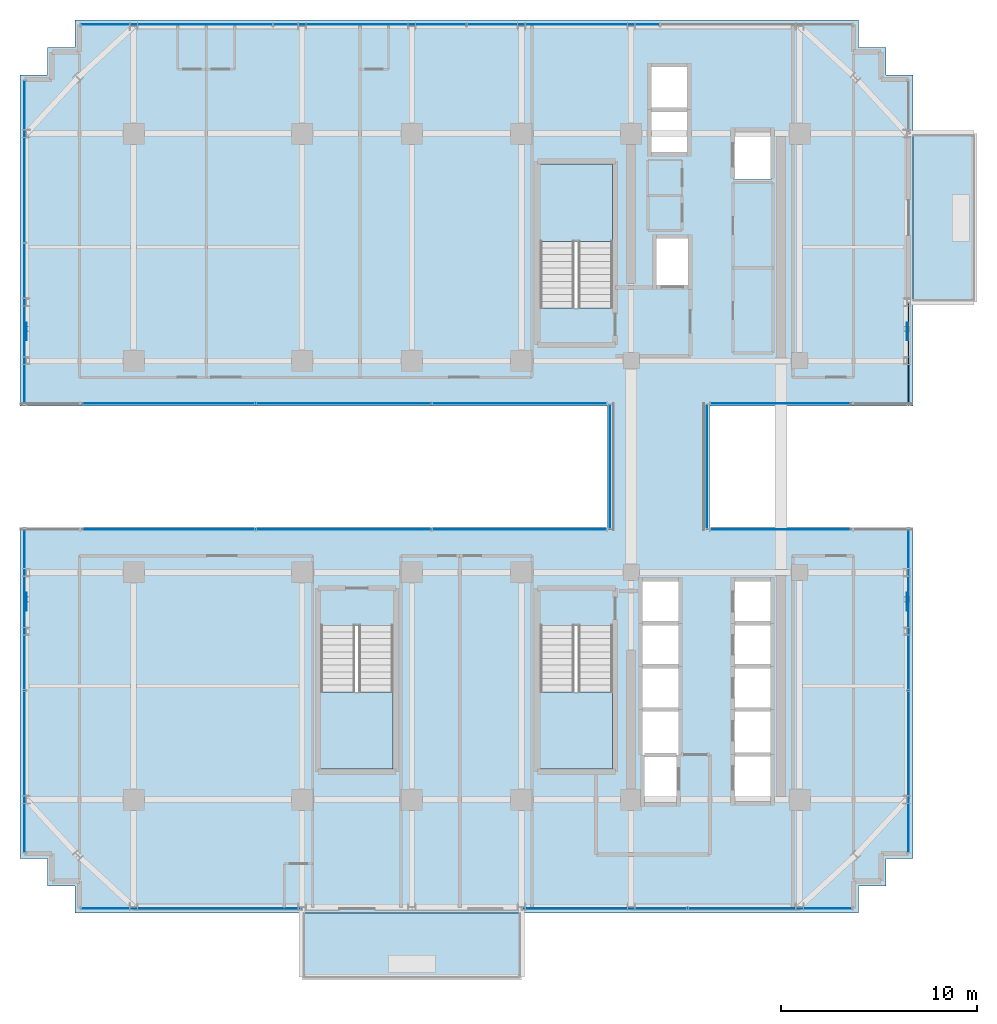
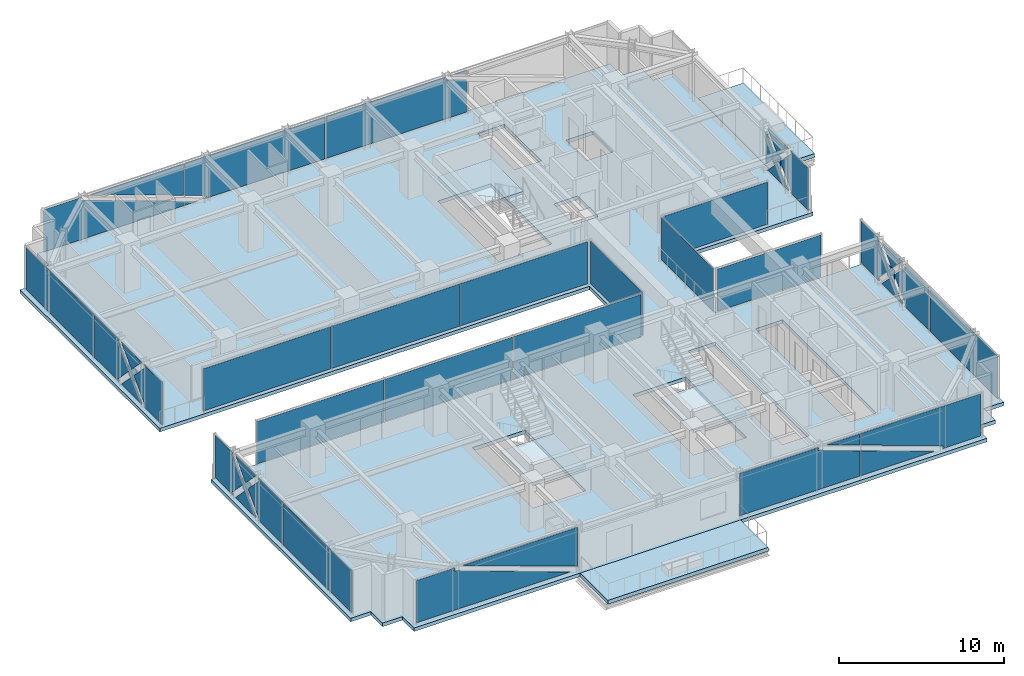
# One storey, part 30 of 38: 27 plates, 6 slabs, 16 elements without a shape of their own.
"""IFC4 building model written with IfcOpenShell, lengths in metres."""

from ifc_helpers import new_model, si_unit, direction, frame, origin, origin_2d, place, context, subcontext, project, spatial, polyline, rectangle, outline, extrude, source, transform, mapped, material, layer, layer_set, type_object, element, aggregate, save


model = new_model("IFC4")

# Units and contexts
model_context = context("Model", 3, precision=1e-05, world=origin(), true_north=direction((0.0, 1.0)))
body_context = subcontext(model_context, "Body", "Model", "MODEL_VIEW")
ifc_project = project(units=[si_unit("LENGTHUNIT", "METRE"), si_unit("AREAUNIT", "SQUARE_METRE"), si_unit("VOLUMEUNIT", "CUBIC_METRE"), si_unit("PLANEANGLEUNIT", "RADIAN"), si_unit("MASSUNIT", "GRAM", prefix="KILO")], contexts=[model_context])

# Site, building, storey
site_placement = place(None, origin())
site = spatial("IfcSite", under=ifc_project, at=site_placement, CompositionType="ELEMENT")
building_placement = place(site_placement, origin())
building = spatial("IfcBuilding", under=site, at=building_placement, Name="Nahalor Promenade Grand Hotel", CompositionType="ELEMENT")
storey_placement = place(building_placement, frame((0.0, 0.0, 163.60009765625)))
storey = spatial("IfcBuildingStorey", under=building, at=storey_placement, Name="L41", CompositionType="ELEMENT", Elevation=163.60009765625)

# Curtain wall, plate
ifc_material_1 = material(Name="Anodised Bronze Aluminium EN AW-6063 T6", Category="aluminium")
curtain_wall_type_1 = type_object("IfcCurtainWallType", Name="CW3 Elliptical-Void Collar Unitised Curtain Wall", PredefinedType="USERDEFINED", material=ifc_material_1)
curtain_wall_1_placement = place(storey_placement, origin())
curtain_wall_1 = element("IfcCurtainWall", 1, at=curtain_wall_1_placement, inside=storey, type_object=curtain_wall_type_1, Name="L41 Curtain Wall CW-L41-S-1", ObjectType="UNITISED_CURTAIN_WALL", PredefinedType="USERDEFINED")
ifc_material_2 = material(Name="Low-E Laminated Solar Glass", Category="glass")
ifc_layer_1 = layer(ifc_material_2, 0.030029296875)
ifc_layer_set_1 = layer_set([ifc_layer_1], Name="Low-E Laminated Solar Glass")
plate_type_1 = type_object("IfcPlateType", Name="CWP3 High-Wind Laminated Bronze IGU 30mm", PredefinedType="CURTAIN_PANEL", material=ifc_layer_set_1)
plate_1_placement = place(storey_placement, frame((-14.080078125, -22.56005859375, 0.1396484375), z_axis=(0.0, 0.0, 1.0), x_axis=(1.0, 0.0, 0.0)))
plate_1 = element("IfcPlate", 2, at=plate_1_placement, type_object=plate_type_1, Name="CW-L41-S-1 Glazing Panel 0-0", PredefinedType="CURTAIN_PANEL", context=body_context, shape_type="SweptSolid", body=[
    extrude(outline(polyline([(-5.610107421875, 3.110107421875), (-5.610107421875, 0.0), (5.116455078125, 0.0), (-3.01123046875, 2.920166015625), (-2.94287109375, 3.110107421875), (-5.610107421875, 3.110107421875)])), frame((0.0, 0.01513671875, 0.0), z_axis=(0.0, -1.0, 0.0), x_axis=(1.0, 0.0, 0.0)), (0.0, 0.0, 1.0), 0.030029296875),
    extrude(outline(polyline([(5.610107421875, 0.24755859375), (5.610107421875, 3.110107421875), (-2.3564453125, 3.110107421875), (5.610107421875, 0.24755859375)])), frame((0.0, 0.01513671875, 0.0), z_axis=(0.0, -1.0, 0.0), x_axis=(1.0, 0.0, 0.0)), (0.0, 0.0, 1.0), 0.030029296875),
])
aggregate(curtain_wall_1, [plate_1])

# Curtain wall, plates
curtain_wall_2_placement = place(storey_placement, origin())
curtain_wall_2 = element("IfcCurtainWall", 3, at=curtain_wall_2_placement, inside=storey, type_object=curtain_wall_type_1, Name="L41 Curtain Wall CW-L41-S-3", ObjectType="UNITISED_CURTAIN_WALL", PredefinedType="USERDEFINED")
plate_2_placement = place(storey_placement, frame((7.0576171875, -22.56005859375, 0.1396484375), z_axis=(0.0, 0.0, 1.0), x_axis=(1.0, 0.0, 0.0)))
plate_2 = element("IfcPlate", 4, at=plate_2_placement, type_object=plate_type_1, Name="CW-L41-S-3 Glazing Panel 0-0", PredefinedType="CURTAIN_PANEL", context=body_context, shape_type="SweptSolid", body=[
    extrude(outline(polyline([(-4.1875, 0.0), (4.1875, 0.0), (4.1875, 1.865234375), (1.25146484375, 2.920166015625), (1.319580078125, 3.110107421875), (-4.1875, 3.110107421875), (-4.1875, 0.0)])), frame((0.0, 0.01513671875, 0.0), z_axis=(0.0, -1.0, 0.0), x_axis=(1.0, 0.0, 0.0)), (0.0, 0.0, 1.0), 0.030029296875),
    extrude(outline(polyline([(4.1875, 2.290283203125), (4.1875, 3.110107421875), (1.90625, 3.110107421875), (4.1875, 2.290283203125)])), frame((0.0, 0.01513671875, 0.0), z_axis=(0.0, -1.0, 0.0), x_axis=(1.0, 0.0, 0.0)), (0.0, 0.0, 1.0), 0.030029296875),
])
plate_3_placement = place(storey_placement, frame((15.50244140625, -22.56005859375, 0.1396484375), z_axis=(0.0, 0.0, 1.0), x_axis=(1.0, 0.0, 0.0)))
plate_3 = element("IfcPlate", 5, at=plate_3_placement, type_object=plate_type_1, Name="CW-L41-S-3 Glazing Panel 1-0", PredefinedType="CURTAIN_PANEL", context=body_context, shape_type="SweptSolid", body=[
    extrude(outline(polyline([(4.1875, 3.110107421875), (-4.1875, 3.110107421875), (-4.1875, 2.26513671875), (1.588623046875, 0.189697265625), (1.5205078125, 0.0), (4.1875, 0.0), (4.1875, 3.110107421875)])), frame((0.0, 0.01513671875, 0.0), z_axis=(0.0, -1.0, 0.0), x_axis=(1.0, 0.0, 0.0)), (0.0, 0.0, 1.0), 0.030029296875),
    extrude(outline(polyline([(-4.1875, 1.840087890625), (-4.1875, 0.0), (0.933837890625, 0.0), (-4.1875, 1.840087890625)])), frame((0.0, 0.01513671875, 0.0), z_axis=(0.0, -1.0, 0.0), x_axis=(1.0, 0.0, 0.0)), (0.0, 0.0, 1.0), 0.030029296875),
])
aggregate(curtain_wall_2, [plate_2, plate_3])

curtain_wall_3_placement = place(storey_placement, origin())
curtain_wall_3 = element("IfcCurtainWall", 6, at=curtain_wall_3_placement, inside=storey, type_object=curtain_wall_type_1, Name="L41 Curtain Wall CW-L41-N-1", ObjectType="UNITISED_CURTAIN_WALL", PredefinedType="USERDEFINED")
plate_4_placement = place(storey_placement, frame((-14.802490234375, 22.56005859375, 0.1396484375), z_axis=(0.0, 0.0, 1.0), x_axis=(1.0, 0.0, 0.0)))
plate_4 = element("IfcPlate", 7, at=plate_4_placement, type_object=plate_type_1, Name="CW-L41-N-1 Glazing Panel 0-0", PredefinedType="CURTAIN_PANEL", context=body_context, shape_type="SweptSolid", body=[
    extrude(outline(polyline([(-4.887451171875, 0.0), (4.887451171875, 0.0), (4.887451171875, 0.341796875), (-2.28857421875, 2.920166015625), (-2.220458984375, 3.110107421875), (-4.887451171875, 3.110107421875), (-4.887451171875, 0.0)])), frame((0.0, 0.01513671875, 0.0), z_axis=(0.0, -1.0, 0.0), x_axis=(1.0, 0.0, 0.0)), (0.0, 0.0, 1.0), 0.030029296875),
    extrude(outline(polyline([(4.887451171875, 0.766845703125), (4.887451171875, 3.110107421875), (-1.6337890625, 3.110107421875), (4.887451171875, 0.766845703125)])), frame((0.0, 0.01513671875, 0.0), z_axis=(0.0, -1.0, 0.0), x_axis=(1.0, 0.0, 0.0)), (0.0, 0.0, 1.0), 0.030029296875),
])
plate_5_placement = place(storey_placement, frame((-4.93994140625, 22.56005859375, 0.1396484375), z_axis=(0.0, 0.0, 1.0), x_axis=(1.0, 0.0, 0.0)))
plate_5 = element("IfcPlate", 8, at=plate_5_placement, type_object=plate_type_1, Name="CW-L41-N-1 Glazing Panel 1-0", PredefinedType="CURTAIN_PANEL", context=body_context, shape_type="SweptSolid", body=[
    extrude(outline(polyline([(4.905029296875, 3.110107421875), (-4.905029296875, 3.110107421875), (-4.905029296875, 0.74169921875), (-3.368896484375, 0.189697265625), (-3.43701171875, 0.0), (4.905029296875, 0.0), (4.905029296875, 3.110107421875)])), frame((0.0, 0.01513671875, 0.0), z_axis=(0.0, -1.0, 0.0), x_axis=(1.0, 0.0, 0.0)), (0.0, 0.0, 1.0), 0.030029296875),
    extrude(outline(polyline([(-4.905029296875, 0.316650390625), (-4.905029296875, 0.0), (-4.023681640625, 0.0), (-4.905029296875, 0.316650390625)])), frame((0.0, 0.01513671875, 0.0), z_axis=(0.0, -1.0, 0.0), x_axis=(1.0, 0.0, 0.0)), (0.0, 0.0, 1.0), 0.030029296875),
])
plate_6_placement = place(storey_placement, frame((4.93994140625, 22.56005859375, 0.1396484375), z_axis=(0.0, 0.0, 1.0), x_axis=(1.0, 0.0, 0.0)))
plate_6 = element("IfcPlate", 9, at=plate_6_placement, type_object=plate_type_1, Name="CW-L41-N-1 Glazing Panel 2-0", PredefinedType="CURTAIN_PANEL", context=body_context, shape_type="SweptSolid", body=[
    extrude(outline(polyline([(-4.905029296875, 0.0), (4.905029296875, 0.0), (4.905029296875, 2.368408203125), (3.368896484375, 2.920166015625), (3.43701171875, 3.110107421875), (-4.905029296875, 3.110107421875), (-4.905029296875, 0.0)])), frame((0.0, 0.01513671875, 0.0), z_axis=(0.0, -1.0, 0.0), x_axis=(1.0, 0.0, 0.0)), (0.0, 0.0, 1.0), 0.030029296875),
    extrude(outline(polyline([(4.905029296875, 2.793212890625), (4.905029296875, 3.110107421875), (4.023681640625, 3.110107421875), (4.905029296875, 2.793212890625)])), frame((0.0, 0.01513671875, 0.0), z_axis=(0.0, -1.0, 0.0), x_axis=(1.0, 0.0, 0.0)), (0.0, 0.0, 1.0), 0.030029296875),
])
aggregate(curtain_wall_3, [plate_4, plate_5, plate_6])

# Curtain wall, plate
curtain_wall_4_placement = place(storey_placement, origin())
curtain_wall_4 = element("IfcCurtainWall", 10, at=curtain_wall_4_placement, inside=storey, type_object=curtain_wall_type_1, Name="L41 Curtain Wall CW-L41-W-1", ObjectType="UNITISED_CURTAIN_WALL", PredefinedType="USERDEFINED")
plate_7_placement = place(storey_placement, frame((-22.56005859375, -7.282470703125, 0.1396484375), z_axis=(0.0, 0.0, 1.0), x_axis=(0.0, 1.0, 0.0)))
plate_7 = element("IfcPlate", 11, at=plate_7_placement, type_object=plate_type_1, Name="CW-L41-W-1 Glazing Panel 1-0", PredefinedType="CURTAIN_PANEL", context=body_context, shape_type="SweptSolid", body=[
    extrude(outline(polyline([(-4.112548828125, 3.110107421875), (-4.112548828125, 0.0), (-1.14306640625, 0.0), (-1.2783203125, 0.13134765625), (0.103759765625, 1.554931640625), (-1.2783203125, 2.978515625), (-1.14306640625, 3.110107421875), (-4.112548828125, 3.110107421875)])), frame((0.0, 0.01513671875, 0.0), z_axis=(0.0, -1.0, 0.0), x_axis=(1.0, 0.0, 0.0)), (0.0, 0.0, 1.0), 0.030029296875),
    extrude(outline(polyline([(0.382568359375, 1.267822265625), (-0.848388671875, 0.0), (1.613525390625, 0.0), (0.382568359375, 1.267822265625)])), frame((0.0, 0.01513671875, 0.0), z_axis=(0.0, -1.0, 0.0), x_axis=(1.0, 0.0, 0.0)), (0.0, 0.0, 1.0), 0.030029296875),
    extrude(outline(polyline([(0.382568359375, 1.842041015625), (1.613525390625, 3.110107421875), (-0.848388671875, 3.110107421875), (0.382568359375, 1.842041015625)])), frame((0.0, 0.01513671875, 0.0), z_axis=(0.0, -1.0, 0.0), x_axis=(1.0, 0.0, 0.0)), (0.0, 0.0, 1.0), 0.030029296875),
    extrude(outline(polyline([(4.112548828125, 0.0), (4.112548828125, 3.110107421875), (1.908203125, 3.110107421875), (2.04345703125, 2.978515625), (0.661376953125, 1.554931640625), (2.04345703125, 0.13134765625), (1.908203125, 0.0), (4.112548828125, 0.0)])), frame((0.0, 0.01513671875, 0.0), z_axis=(0.0, -1.0, 0.0), x_axis=(1.0, 0.0, 0.0)), (0.0, 0.0, 1.0), 0.030029296875),
])

curtain_wall_5_placement = place(storey_placement, origin())
curtain_wall_5 = element("IfcCurtainWall", 12, at=curtain_wall_5_placement, inside=storey, type_object=curtain_wall_type_1, Name="L41 Curtain Wall CW-L41-W-2", ObjectType="UNITISED_CURTAIN_WALL", PredefinedType="USERDEFINED")
plate_8_placement = place(storey_placement, frame((-22.56005859375, 7.282470703125, 0.1396484375), z_axis=(0.0, 0.0, 1.0), x_axis=(0.0, 1.0, 0.0)))
plate_8 = element("IfcPlate", 13, at=plate_8_placement, type_object=plate_type_1, Name="CW-L41-W-2 Glazing Panel 0-0", PredefinedType="CURTAIN_PANEL", context=body_context, shape_type="SweptSolid", body=[
    extrude(outline(polyline([(-4.112548828125, 3.110107421875), (-4.112548828125, 0.0), (-1.908203125, 0.0), (-2.04345703125, 0.13134765625), (-0.661376953125, 1.554931640625), (-2.04345703125, 2.978515625), (-1.908203125, 3.110107421875), (-4.112548828125, 3.110107421875)])), frame((0.0, 0.01513671875, 0.0), z_axis=(0.0, -1.0, 0.0), x_axis=(1.0, 0.0, 0.0)), (0.0, 0.0, 1.0), 0.030029296875),
    extrude(outline(polyline([(-0.382568359375, 1.267822265625), (-1.613525390625, 0.0), (0.848388671875, 0.0), (-0.382568359375, 1.267822265625)])), frame((0.0, 0.01513671875, 0.0), z_axis=(0.0, -1.0, 0.0), x_axis=(1.0, 0.0, 0.0)), (0.0, 0.0, 1.0), 0.030029296875),
    extrude(outline(polyline([(-0.382568359375, 1.842041015625), (0.848388671875, 3.110107421875), (-1.613525390625, 3.110107421875), (-0.382568359375, 1.842041015625)])), frame((0.0, 0.01513671875, 0.0), z_axis=(0.0, -1.0, 0.0), x_axis=(1.0, 0.0, 0.0)), (0.0, 0.0, 1.0), 0.030029296875),
    extrude(outline(polyline([(4.112548828125, 0.0), (4.112548828125, 3.110107421875), (1.14306640625, 3.110107421875), (1.2783203125, 2.978515625), (-0.103759765625, 1.554931640625), (1.2783203125, 0.13134765625), (1.14306640625, 0.0), (4.112548828125, 0.0)])), frame((0.0, 0.01513671875, 0.0), z_axis=(0.0, -1.0, 0.0), x_axis=(1.0, 0.0, 0.0)), (0.0, 0.0, 1.0), 0.030029296875),
])

curtain_wall_6_placement = place(storey_placement, origin())
curtain_wall_6 = element("IfcCurtainWall", 14, at=curtain_wall_6_placement, inside=storey, type_object=curtain_wall_type_1, Name="L41 Curtain Wall CW-L41-E-1", ObjectType="UNITISED_CURTAIN_WALL", PredefinedType="USERDEFINED")
plate_9_placement = place(storey_placement, frame((22.56005859375, -7.282470703125, 0.1396484375), z_axis=(0.0, 0.0, 1.0), x_axis=(0.0, 1.0, 0.0)))
plate_9 = element("IfcPlate", 15, at=plate_9_placement, type_object=plate_type_1, Name="CW-L41-E-1 Glazing Panel 1-0", PredefinedType="CURTAIN_PANEL", context=body_context, shape_type="SweptSolid", body=[
    extrude(outline(polyline([(-4.112548828125, 3.110107421875), (-4.112548828125, 0.0), (-1.14306640625, 0.0), (-1.2783203125, 0.13134765625), (0.103759765625, 1.554931640625), (-1.2783203125, 2.978515625), (-1.14306640625, 3.110107421875), (-4.112548828125, 3.110107421875)])), frame((0.0, 0.01513671875, 0.0), z_axis=(0.0, -1.0, 0.0), x_axis=(1.0, 0.0, 0.0)), (0.0, 0.0, 1.0), 0.030029296875),
    extrude(outline(polyline([(0.382568359375, 1.267822265625), (-0.848388671875, 0.0), (1.613525390625, 0.0), (0.382568359375, 1.267822265625)])), frame((0.0, 0.01513671875, 0.0), z_axis=(0.0, -1.0, 0.0), x_axis=(1.0, 0.0, 0.0)), (0.0, 0.0, 1.0), 0.030029296875),
    extrude(outline(polyline([(0.382568359375, 1.842041015625), (1.613525390625, 3.110107421875), (-0.848388671875, 3.110107421875), (0.382568359375, 1.842041015625)])), frame((0.0, 0.01513671875, 0.0), z_axis=(0.0, -1.0, 0.0), x_axis=(1.0, 0.0, 0.0)), (0.0, 0.0, 1.0), 0.030029296875),
    extrude(outline(polyline([(4.112548828125, 0.0), (4.112548828125, 3.110107421875), (1.908203125, 3.110107421875), (2.04345703125, 2.978515625), (0.661376953125, 1.554931640625), (2.04345703125, 0.13134765625), (1.908203125, 0.0), (4.112548828125, 0.0)])), frame((0.0, 0.01513671875, 0.0), z_axis=(0.0, -1.0, 0.0), x_axis=(1.0, 0.0, 0.0)), (0.0, 0.0, 1.0), 0.030029296875),
])

curtain_wall_7_placement = place(storey_placement, origin())
curtain_wall_7 = element("IfcCurtainWall", 16, at=curtain_wall_7_placement, inside=storey, type_object=curtain_wall_type_1, Name="L41 Curtain Wall CW-L41-E-2", ObjectType="UNITISED_CURTAIN_WALL", PredefinedType="USERDEFINED")
plate_10_placement = place(storey_placement, frame((22.56005859375, 5.75, 0.1396484375), z_axis=(0.0, 0.0, 1.0), x_axis=(0.0, 1.0, 0.0)))
plate_10 = element("IfcPlate", 17, at=plate_10_placement, type_object=plate_type_1, Name="CW-L41-E-2 Glazing Panel 0-0", PredefinedType="CURTAIN_PANEL", context=body_context, shape_type="SweptSolid", body=[
    extrude(outline(polyline([(-2.580078125, 3.110107421875), (-2.580078125, 0.0), (-0.37548828125, 0.0), (-0.510986328125, 0.13134765625), (0.871337890625, 1.554931640625), (-0.510986328125, 2.978515625), (-0.37548828125, 3.110107421875), (-2.580078125, 3.110107421875)])), frame((0.0, 0.01513671875, 0.0), z_axis=(0.0, -1.0, 0.0), x_axis=(1.0, 0.0, 0.0)), (0.0, 0.0, 1.0), 0.030029296875),
    extrude(outline(polyline([(1.14990234375, 1.267822265625), (-0.0810546875, 0.0), (2.380859375, 0.0), (1.14990234375, 1.267822265625)])), frame((0.0, 0.01513671875, 0.0), z_axis=(0.0, -1.0, 0.0), x_axis=(1.0, 0.0, 0.0)), (0.0, 0.0, 1.0), 0.030029296875),
    extrude(outline(polyline([(1.14990234375, 1.842041015625), (2.380859375, 3.110107421875), (-0.0810546875, 3.110107421875), (1.14990234375, 1.842041015625)])), frame((0.0, 0.01513671875, 0.0), z_axis=(0.0, -1.0, 0.0), x_axis=(1.0, 0.0, 0.0)), (0.0, 0.0, 1.0), 0.030029296875),
    extrude(outline(polyline([(1.4287109375, 1.554931640625), (2.580078125, 0.369140625), (2.580078125, 2.74072265625), (1.4287109375, 1.554931640625)])), frame((0.0, 0.01513671875, 0.0), z_axis=(0.0, -1.0, 0.0), x_axis=(1.0, 0.0, 0.0)), (0.0, 0.0, 1.0), 0.030029296875),
])
aggregate(curtain_wall_7, [plate_10])

# Stair, slab
ifc_material_3 = material(Name="Concrete B-50 (C40/50)", Category="concrete")
stair_type_1 = type_object("IfcStairType", Name="Stair-ST1", PredefinedType="HALF_TURN_STAIR", material=ifc_material_3)
stair_1_placement = place(storey_placement, origin())
stair_1 = element("IfcStair", 18, at=stair_1_placement, inside=storey, type_object=stair_type_1, Name="L41 ST1", PredefinedType="HALF_TURN_STAIR")
ifc_layer_2 = layer(ifc_material_3, 0.199951171875)
ifc_layer_set_2 = layer_set([ifc_layer_2], Name="Concrete B-50 (C40/50)")
slab_type_1 = type_object("IfcSlabType", Name="Landing-ST1", PredefinedType="LANDING", material=ifc_layer_set_2)
slab_1_placement = place(storey_placement, frame((0.0, 0.0, 1.625)))
slab_1 = element("IfcSlab", 19, at=slab_1_placement, type_object=slab_type_1, Name="ST1 landing 1", PredefinedType="LANDING", context=body_context, shape_type="SweptSolid", body=[
    extrude(outline(polyline([(7.449951171875, 11.5), (7.449951171875, 15.449951171875), (3.75, 15.449951171875), (3.75, 11.5), (7.449951171875, 11.5)])), origin(), (0.0, 0.0, 1.0), 0.199951171875),
])
aggregate(stair_1, [slab_1])

stair_type_2 = type_object("IfcStairType", Name="Stair-ST2", PredefinedType="HALF_TURN_STAIR", material=ifc_material_3)
stair_2_placement = place(storey_placement, origin())
stair_2 = element("IfcStair", 20, at=stair_2_placement, inside=storey, type_object=stair_type_2, Name="L41 ST2", PredefinedType="HALF_TURN_STAIR")
ifc_layer_3 = layer(ifc_material_3, 0.2099609375)
ifc_layer_set_3 = layer_set([ifc_layer_3], Name="Concrete B-50 (C40/50)")
slab_type_2 = type_object("IfcSlabType", Name="Landing-ST2", PredefinedType="LANDING", material=ifc_layer_set_3)
slab_2_placement = place(storey_placement, frame((0.0, 0.0, 1.614990234375)))
slab_2 = element("IfcSlab", 21, at=slab_2_placement, type_object=slab_type_2, Name="ST2 landing 1", PredefinedType="LANDING", context=body_context, shape_type="SweptSolid", body=[
    extrude(outline(polyline([(3.75, -11.5), (3.75, -15.449951171875), (7.449951171875, -15.449951171875), (7.449951171875, -11.5), (3.75, -11.5)])), origin(), (0.0, 0.0, 1.0), 0.2099609375),
])
aggregate(stair_2, [slab_2])

stair_type_3 = type_object("IfcStairType", Name="Stair-ST3", PredefinedType="HALF_TURN_STAIR", material=ifc_material_3)
stair_3_placement = place(storey_placement, origin())
stair_3 = element("IfcStair", 22, at=stair_3_placement, inside=storey, type_object=stair_type_3, Name="L41 ST3", PredefinedType="HALF_TURN_STAIR")
ifc_layer_4 = layer(ifc_material_3, 0.219970703125)
ifc_layer_set_4 = layer_set([ifc_layer_4], Name="Concrete B-50 (C40/50)")
slab_type_3 = type_object("IfcSlabType", Name="Landing-ST3", PredefinedType="LANDING", material=ifc_layer_set_4)
slab_3_placement = place(storey_placement, frame((0.0, 0.0, 1.60498046875)))
slab_3 = element("IfcSlab", 23, at=slab_3_placement, type_object=slab_type_3, Name="ST3 landing 1", PredefinedType="LANDING", context=body_context, shape_type="SweptSolid", body=[
    extrude(outline(polyline([(-7.449951171875, -11.5), (-7.449951171875, -15.449951171875), (-3.75, -15.449951171875), (-3.75, -11.5), (-7.449951171875, -11.5)])), origin(), (0.0, 0.0, 1.0), 0.219970703125),
])
aggregate(stair_3, [slab_3])

# Slabs
ifc_layer_5 = layer(ifc_material_3, 0.280029296875)
ifc_layer_set_5 = layer_set([ifc_layer_5], Name="Concrete B-50 (C40/50)")
slab_type_4 = type_object("IfcSlabType", Name="Slab-Balcony-280", PredefinedType="FLOOR", material=ifc_layer_set_5)
slab_4_placement = place(storey_placement, frame((0.0, 0.0, -0.280029296875)))
element("IfcSlab", 24, at=slab_4_placement, inside=storey, type_object=slab_type_4, Name="L41 Cantilevered Planted Balcony 1", PredefinedType="FLOOR", context=body_context, shape_type="SweptSolid", body=[
    extrude(outline(polyline([(-8.39990234375, -26.139892578125), (2.800048828125, -26.139892578125), (2.800048828125, -22.800048828125), (-8.39990234375, -22.800048828125), (-8.39990234375, -26.139892578125)])), origin(), (0.0, 0.0, 1.0), 0.280029296875),
])
slab_5_placement = place(storey_placement, frame((0.0, 0.0, -0.280029296875)))
element("IfcSlab", 25, at=slab_5_placement, inside=storey, type_object=slab_type_4, Name="L41 Cantilevered Planted Balcony 2", PredefinedType="FLOOR", context=body_context, shape_type="SweptSolid", body=[
    extrude(outline(polyline([(22.800048828125, 8.39990234375), (25.97998046875, 8.39990234375), (25.97998046875, 17.0), (22.800048828125, 17.0), (22.800048828125, 8.39990234375)])), origin(), (0.0, 0.0, 1.0), 0.280029296875),
])
ifc_layer_6 = layer(ifc_material_3, 0.260009765625)
ifc_layer_set_6 = layer_set([ifc_layer_6], Name="Concrete B-50 (C40/50)")
slab_type_5 = type_object("IfcSlabType", Name="Slab-TowerZ3-260", PredefinedType="FLOOR", material=ifc_layer_set_6)
slab_6_placement = place(storey_placement, frame((0.0, 0.0, -0.260009765625)))
element("IfcSlab", 26, at=slab_6_placement, inside=storey, type_object=slab_type_5, Name="L41 Suspended Structural Floor Slab", PredefinedType="FLOOR", context=body_context, shape_type="SweptSolid", body=[
    extrude(outline(polyline([(-20.0, -22.800048828125), (20.0, -22.800048828125), (20.0, -21.39990234375), (21.39990234375, -21.39990234375), (21.39990234375, -20.0), (22.800048828125, -20.0), (22.800048828125, -3.10009765625), (12.39990234375, -3.10009765625), (12.39990234375, 3.10009765625), (22.800048828125, 3.10009765625), (22.800048828125, 20.0), (21.39990234375, 20.0), (21.39990234375, 21.39990234375), (20.0, 21.39990234375), (20.0, 22.800048828125), (-20.0, 22.800048828125), (-20.0, 21.39990234375), (-21.39990234375, 21.39990234375), (-21.39990234375, 20.0), (-22.800048828125, 20.0), (-22.800048828125, 3.10009765625), (7.199951171875, 3.10009765625), (7.199951171875, -3.10009765625), (-22.800048828125, -3.10009765625), (-22.800048828125, -20.0), (-21.39990234375, -20.0), (-21.39990234375, -21.39990234375), (-20.0, -21.39990234375), (-20.0, -22.800048828125)]), holes=[polyline([(3.75, 8.10009765625), (7.449951171875, 8.10009765625), (7.449951171875, 15.449951171875), (3.75, 15.449951171875), (3.75, 8.10009765625)]), polyline([(3.75, -15.449951171875), (7.449951171875, -15.449951171875), (7.449951171875, -8.10009765625), (3.75, -8.10009765625), (3.75, -15.449951171875)]), polyline([(-7.449951171875, -15.449951171875), (-3.75, -15.449951171875), (-3.75, -8.10009765625), (-7.449951171875, -8.10009765625), (-7.449951171875, -15.449951171875)]), polyline([(13.659912109375, -17.139892578125), (15.5400390625, -17.139892578125), (15.5400390625, -5.81005859375), (13.659912109375, -5.81005859375), (13.659912109375, -17.139892578125)]), polyline([(8.9599609375, -17.18994140625), (10.840087890625, -17.18994140625), (10.840087890625, -5.81005859375), (8.9599609375, -5.81005859375), (8.9599609375, -17.18994140625)]), polyline([(9.409912109375, 16.010009765625), (11.2900390625, 16.010009765625), (11.2900390625, 20.43994140625), (9.409912109375, 20.43994140625), (9.409912109375, 16.010009765625)]), polyline([(9.659912109375, 9.2099609375), (11.340087890625, 9.2099609375), (11.340087890625, 11.68994140625), (9.659912109375, 11.68994140625), (9.659912109375, 9.2099609375)]), polyline([(13.659912109375, 14.659912109375), (15.5400390625, 14.659912109375), (15.5400390625, 17.139892578125), (13.659912109375, 17.139892578125), (13.659912109375, 14.659912109375)])]), origin(), (0.0, 0.0, 1.0), 0.260009765625),
])

# Plates
ifc_material_4 = material(Name="Steel S355J2", Category="steel")
ifc_layer_7 = layer(ifc_material_4, 0.035888671875)
ifc_layer_set_7 = layer_set([ifc_layer_7], Name="Steel S355J2")
plate_type_2 = type_object("IfcPlateType", Name="Plate-CrossGusset-36", PredefinedType="USERDEFINED", material=ifc_layer_set_7)
shared_shape_1 = source(origin(), body_context, "Body", "SweptSolid", [
    extrude(rectangle(XDim=0.89990234375, YDim=0.035888671875, at=origin_2d()), origin(), (0.0, 0.0, 1.0), 0.89990234375),
])
for number, where, z_axis, x_axis, name in (
    (27, (-22.47998046875, -6.89990234375, 1.244873046875), (0.0, 0.0, 1.0), (0.0, 1.0, 0.0), "PL-L41-VXX-W0"),
    (28, (-22.47998046875, 6.89990234375, 1.244873046875), (0.0, 0.0, 1.0), (0.0, 1.0, 0.0), "PL-L41-VXX-W1"),
    (29, (22.47998046875, -6.89990234375, 1.244873046875), (0.0, 0.0, 1.0), (0.0, 1.0, 0.0), "PL-L41-VXX-E0"),
    (30, (22.47998046875, 6.89990234375, 1.244873046875), (0.0, 0.0, 1.0), (0.0, 1.0, 0.0), "PL-L41-VXX-E1"),
):
    element("IfcPlate", number, at=place(storey_placement, frame(where, z_axis=z_axis, x_axis=x_axis)), inside=storey, type_object=plate_type_2, Name=name, ObjectType="GUSSET_PLATE", PredefinedType="USERDEFINED", context=body_context, shape_type="MappedRepresentation", body=[
        mapped(shared_shape_1, transform((0.0, 0.0, 0.0), scale=1.0)),
    ])

# Curtain wall, plates
curtain_wall_8_placement = place(storey_placement, origin())
curtain_wall_8 = element("IfcCurtainWall", 31, at=curtain_wall_8_placement, inside=storey, type_object=curtain_wall_type_1, Name="L41 Curtain Wall CW-L41-VOID-WS1", ObjectType="UNITISED_CURTAIN_WALL", PredefinedType="USERDEFINED")
shared_shape_2 = source(origin(), body_context, "Body", "SweptSolid", [
    extrude(rectangle(XDim=8.881591796875, YDim=0.030029296875, at=origin_2d()), origin(), (0.0, 0.0, 1.0), 3.110107421875),
])
plate_11_placement = place(storey_placement, frame((-15.249267578125, -3.219970703125, 0.1396484375), z_axis=(0.0, 0.0, 1.0), x_axis=(1.0, 0.0, 0.0)))
plate_11 = element("IfcPlate", 32, at=plate_11_placement, type_object=plate_type_1, Name="CW-L41-VOID-WS1 Glazing Panel 0-0", PredefinedType="CURTAIN_PANEL", context=body_context, shape_type="MappedRepresentation", body=[
    mapped(shared_shape_2, transform((0.0, 0.0, 0.0), scale=1.0)),
])
plate_12_placement = place(storey_placement, frame((2.689208984375, -3.219970703125, 0.1396484375), z_axis=(0.0, 0.0, 1.0), x_axis=(1.0, 0.0, 0.0)))
plate_12 = element("IfcPlate", 33, at=plate_12_placement, type_object=plate_type_1, Name="CW-L41-VOID-WS1 Glazing Panel 2-0", PredefinedType="CURTAIN_PANEL", context=body_context, shape_type="MappedRepresentation", body=[
    mapped(shared_shape_2, transform((0.0, 0.0, 0.0), scale=1.0)),
])

curtain_wall_9_placement = place(storey_placement, origin())
curtain_wall_9 = element("IfcCurtainWall", 34, at=curtain_wall_9_placement, inside=storey, type_object=curtain_wall_type_1, Name="L41 Curtain Wall CW-L41-VOID-WN1", ObjectType="UNITISED_CURTAIN_WALL", PredefinedType="USERDEFINED")
plate_13_placement = place(storey_placement, frame((-15.249267578125, 3.219970703125, 0.1396484375), z_axis=(0.0, 0.0, 1.0), x_axis=(1.0, 0.0, 0.0)))
plate_13 = element("IfcPlate", 35, at=plate_13_placement, type_object=plate_type_1, Name="CW-L41-VOID-WN1 Glazing Panel 0-0", PredefinedType="CURTAIN_PANEL", context=body_context, shape_type="MappedRepresentation", body=[
    mapped(shared_shape_2, transform((0.0, 0.0, 0.0), scale=1.0)),
])
plate_14_placement = place(storey_placement, frame((2.689208984375, 3.219970703125, 0.1396484375), z_axis=(0.0, 0.0, 1.0), x_axis=(1.0, 0.0, 0.0)))
plate_14 = element("IfcPlate", 36, at=plate_14_placement, type_object=plate_type_1, Name="CW-L41-VOID-WN1 Glazing Panel 2-0", PredefinedType="CURTAIN_PANEL", context=body_context, shape_type="MappedRepresentation", body=[
    mapped(shared_shape_2, transform((0.0, 0.0, 0.0), scale=1.0)),
])

# Plate
shared_shape_3 = source(origin(), body_context, "Body", "SweptSolid", [
    extrude(rectangle(XDim=8.916748046875, YDim=0.030029296875, at=origin_2d()), origin(), (0.0, 0.0, 1.0), 3.110107421875),
])
plate_15_placement = place(storey_placement, frame((-6.280029296875, -3.219970703125, 0.1396484375), z_axis=(0.0, 0.0, 1.0), x_axis=(1.0, 0.0, 0.0)))
plate_15 = element("IfcPlate", 37, at=plate_15_placement, type_object=plate_type_1, Name="CW-L41-VOID-WS1 Glazing Panel 1-0", PredefinedType="CURTAIN_PANEL", context=body_context, shape_type="MappedRepresentation", body=[
    mapped(shared_shape_3, transform((0.0, 0.0, 0.0), scale=1.0)),
])

aggregate(curtain_wall_8, [plate_11, plate_15, plate_12])

plate_16_placement = place(storey_placement, frame((-6.280029296875, 3.219970703125, 0.1396484375), z_axis=(0.0, 0.0, 1.0), x_axis=(1.0, 0.0, 0.0)))
plate_16 = element("IfcPlate", 38, at=plate_16_placement, type_object=plate_type_1, Name="CW-L41-VOID-WN1 Glazing Panel 1-0", PredefinedType="CURTAIN_PANEL", context=body_context, shape_type="MappedRepresentation", body=[
    mapped(shared_shape_3, transform((0.0, 0.0, 0.0), scale=1.0)),
])

aggregate(curtain_wall_9, [plate_13, plate_16, plate_14])

# Curtain wall, plate
curtain_wall_10_placement = place(storey_placement, origin())
curtain_wall_10 = element("IfcCurtainWall", 39, at=curtain_wall_10_placement, inside=storey, type_object=curtain_wall_type_1, Name="L41 Curtain Wall CW-L41-VOID-ES1", ObjectType="UNITISED_CURTAIN_WALL", PredefinedType="USERDEFINED")
shared_shape_4 = source(origin(), body_context, "Body", "SweptSolid", [
    extrude(rectangle(XDim=7.219970703125, YDim=0.030029296875, at=origin_2d()), origin(), (0.0, 0.0, 1.0), 3.110107421875),
])
plate_17_placement = place(storey_placement, frame((16.080078125, -3.219970703125, 0.1396484375), z_axis=(0.0, 0.0, 1.0), x_axis=(1.0, 0.0, 0.0)))
plate_17 = element("IfcPlate", 40, at=plate_17_placement, type_object=plate_type_1, Name="CW-L41-VOID-ES1 Glazing Panel 0-0", PredefinedType="CURTAIN_PANEL", context=body_context, shape_type="MappedRepresentation", body=[
    mapped(shared_shape_4, transform((0.0, 0.0, 0.0), scale=1.0)),
])
aggregate(curtain_wall_10, [plate_17])

curtain_wall_11_placement = place(storey_placement, origin())
curtain_wall_11 = element("IfcCurtainWall", 41, at=curtain_wall_11_placement, inside=storey, type_object=curtain_wall_type_1, Name="L41 Curtain Wall CW-L41-VOID-EN1", ObjectType="UNITISED_CURTAIN_WALL", PredefinedType="USERDEFINED")
plate_18_placement = place(storey_placement, frame((16.080078125, 3.219970703125, 0.1396484375), z_axis=(0.0, 0.0, 1.0), x_axis=(1.0, 0.0, 0.0)))
plate_18 = element("IfcPlate", 42, at=plate_18_placement, type_object=plate_type_1, Name="CW-L41-VOID-EN1 Glazing Panel 0-0", PredefinedType="CURTAIN_PANEL", context=body_context, shape_type="MappedRepresentation", body=[
    mapped(shared_shape_4, transform((0.0, 0.0, 0.0), scale=1.0)),
])
aggregate(curtain_wall_11, [plate_18])

# Plate
shared_shape_5 = source(origin(), body_context, "Body", "SweptSolid", [
    extrude(rectangle(XDim=8.22509765625, YDim=0.030029296875, at=origin_2d()), origin(), (0.0, 0.0, 1.0), 3.110107421875),
])
plate_19_placement = place(storey_placement, frame((-22.56005859375, -15.577392578125, 0.1396484375), z_axis=(0.0, 0.0, 1.0), x_axis=(0.0, 1.0, 0.0)))
plate_19 = element("IfcPlate", 43, at=plate_19_placement, type_object=plate_type_1, Name="CW-L41-W-1 Glazing Panel 0-0", PredefinedType="CURTAIN_PANEL", context=body_context, shape_type="MappedRepresentation", body=[
    mapped(shared_shape_5, transform((0.0, 0.0, 0.0), scale=1.0)),
])

aggregate(curtain_wall_4, [plate_19, plate_7])

plate_20_placement = place(storey_placement, frame((-22.56005859375, 15.577392578125, 0.1396484375), z_axis=(0.0, 0.0, 1.0), x_axis=(0.0, 1.0, 0.0)))
plate_20 = element("IfcPlate", 44, at=plate_20_placement, type_object=plate_type_1, Name="CW-L41-W-2 Glazing Panel 1-0", PredefinedType="CURTAIN_PANEL", context=body_context, shape_type="MappedRepresentation", body=[
    mapped(shared_shape_5, transform((0.0, 0.0, 0.0), scale=1.0)),
])

aggregate(curtain_wall_5, [plate_8, plate_20])

plate_21_placement = place(storey_placement, frame((22.56005859375, -15.577392578125, 0.1396484375), z_axis=(0.0, 0.0, 1.0), x_axis=(0.0, 1.0, 0.0)))
plate_21 = element("IfcPlate", 45, at=plate_21_placement, type_object=plate_type_1, Name="CW-L41-E-1 Glazing Panel 0-0", PredefinedType="CURTAIN_PANEL", context=body_context, shape_type="MappedRepresentation", body=[
    mapped(shared_shape_5, transform((0.0, 0.0, 0.0), scale=1.0)),
])

aggregate(curtain_wall_6, [plate_21, plate_9])

# Curtain wall, plate
curtain_wall_type_2 = type_object("IfcCurtainWallType", Name="CW4 Low-Iron Sky-Gallery Bridge Curtain Wall", PredefinedType="USERDEFINED", material=ifc_material_1)
curtain_wall_12_placement = place(storey_placement, origin())
curtain_wall_12 = element("IfcCurtainWall", 46, at=curtain_wall_12_placement, inside=storey, type_object=curtain_wall_type_2, Name="L41 Curtain Wall CW-L41-BRG-W", ObjectType="UNITISED_CURTAIN_WALL", PredefinedType="USERDEFINED")
ifc_layer_8 = layer(ifc_material_2, 0.02587890625)
ifc_layer_set_8 = layer_set([ifc_layer_8], Name="Low-E Laminated Solar Glass")
plate_type_3 = type_object("IfcPlateType", Name="CWP4 Ultra-Clear Low-Iron Bridge IGU 26mm", PredefinedType="CURTAIN_PANEL", material=ifc_layer_set_8)
shared_shape_6 = source(origin(), body_context, "Body", "SweptSolid", [
    extrude(rectangle(XDim=6.320068359375, YDim=0.02587890625, at=origin_2d()), origin(), (0.0, 0.0, 1.0), 3.14990234375),
])
plate_22_placement = place(storey_placement, frame((7.320068359375, 0.0, 0.119873046875), z_axis=(0.0, 0.0, 1.0), x_axis=(0.0, 1.0, 0.0)))
plate_22 = element("IfcPlate", 47, at=plate_22_placement, type_object=plate_type_3, Name="CW-L41-BRG-W Glazing Panel 0-0", PredefinedType="CURTAIN_PANEL", context=body_context, shape_type="MappedRepresentation", body=[
    mapped(shared_shape_6, transform((0.0, 0.0, 0.0), scale=1.0)),
])
aggregate(curtain_wall_12, [plate_22])

curtain_wall_13_placement = place(storey_placement, origin())
curtain_wall_13 = element("IfcCurtainWall", 48, at=curtain_wall_13_placement, inside=storey, type_object=curtain_wall_type_2, Name="L41 Curtain Wall CW-L41-BRG-E", ObjectType="UNITISED_CURTAIN_WALL", PredefinedType="USERDEFINED")
plate_23_placement = place(storey_placement, frame((12.280029296875, 0.0, 0.119873046875), z_axis=(0.0, 0.0, 1.0), x_axis=(0.0, 1.0, 0.0)))
plate_23 = element("IfcPlate", 49, at=plate_23_placement, type_object=plate_type_3, Name="CW-L41-BRG-E Glazing Panel 0-0", PredefinedType="CURTAIN_PANEL", context=body_context, shape_type="MappedRepresentation", body=[
    mapped(shared_shape_6, transform((0.0, 0.0, 0.0), scale=1.0)),
])
aggregate(curtain_wall_13, [plate_23])

save(model, "model.ifc")
